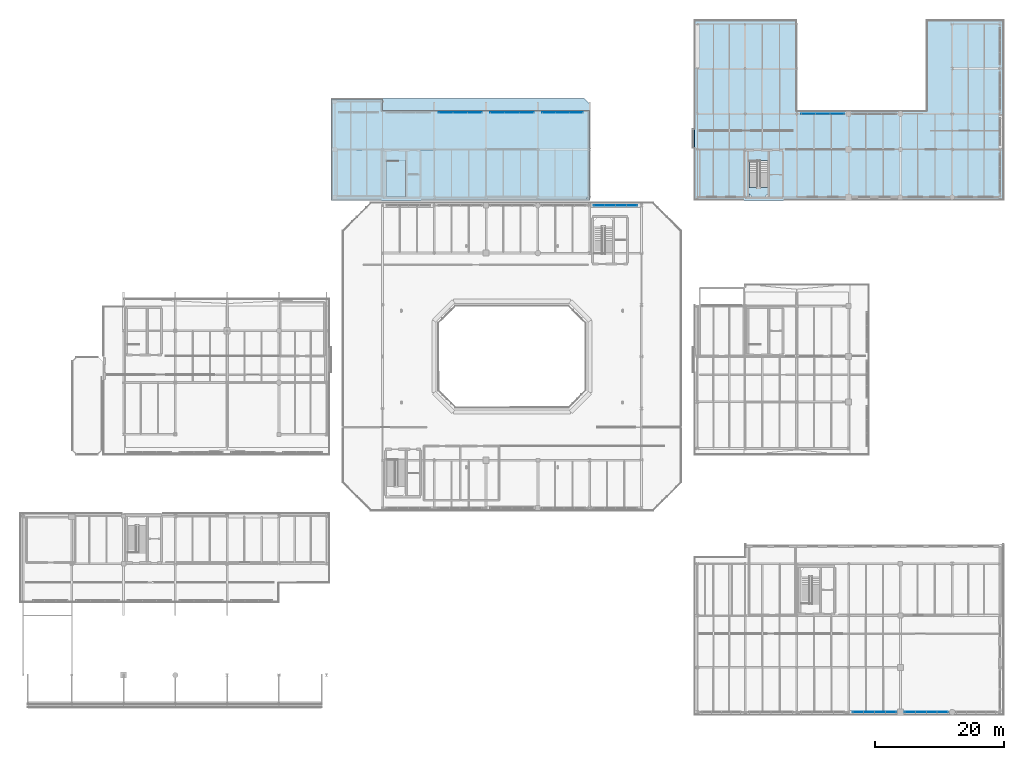
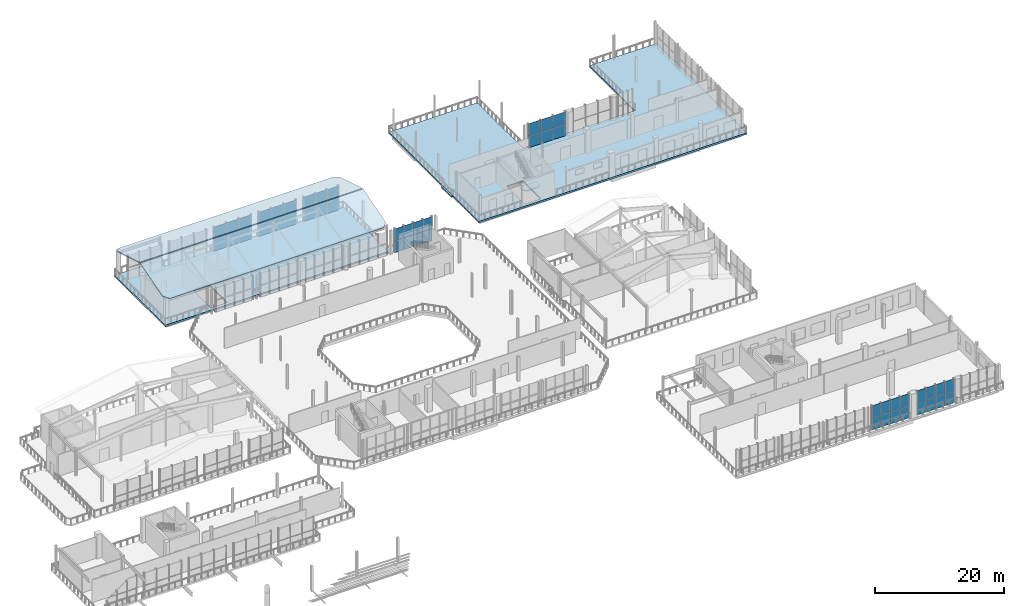
# One storey, part 45 of 70: 48 plates, 6 slabs, 8 elements without a shape of their own.
"""IFC4 building model written with IfcOpenShell, lengths in metres."""

from ifc_helpers import new_model, si_unit, direction, frame, origin, origin_2d, place, context, subcontext, project, spatial, polyline, rectangle, outline, extrude, material, layer, layer_set, type_object, element, aggregate, save


model = new_model("IFC4")

# Units and contexts
model_context = context("Model", 3, precision=1e-05, world=origin(), true_north=direction((0.0, 1.0)))
body_context = subcontext(model_context, "Body", "Model", "MODEL_VIEW")
ifc_project = project(units=[si_unit("LENGTHUNIT", "METRE"), si_unit("AREAUNIT", "SQUARE_METRE"), si_unit("VOLUMEUNIT", "CUBIC_METRE"), si_unit("PLANEANGLEUNIT", "RADIAN"), si_unit("MASSUNIT", "GRAM", prefix="KILO")], contexts=[model_context])

# Site, building, storey
site_placement = place(None, origin())
site = spatial("IfcSite", under=ifc_project, at=site_placement, CompositionType="ELEMENT")
building_placement = place(site_placement, origin())
building = spatial("IfcBuilding", under=site, at=building_placement, Name="Brisemont Oceanarium", CompositionType="ELEMENT")
storey_placement = place(building_placement, frame((0.0, 0.0, 10.199951171875)))
storey = spatial("IfcBuildingStorey", under=building, at=storey_placement, Name="L02", CompositionType="ELEMENT", Elevation=10.199951171875)

# Curtain wall, plates
ifc_material_1 = material(Name="Anodized Extruded Aluminum 6063-T6", Category="aluminium")
curtain_wall_type_1 = type_object("IfcCurtainWallType", Name="CW-CLR-48X34", PredefinedType="NOTDEFINED", material=ifc_material_1)
curtain_wall_1_placement = place(storey_placement, origin())
curtain_wall_1 = element("IfcCurtainWall", 1, at=curtain_wall_1_placement, inside=storey, type_object=curtain_wall_type_1, Name="CW-22 curtain wall CW-V7E-N-L02-03", PredefinedType="NOTDEFINED")
ifc_material_2 = material(Name="Ceramic-Fritted Spandrel Glass", Category="glass")
ifc_layer_1 = layer(ifc_material_2, 0.030029296875)
ifc_layer_set_1 = layer_set([ifc_layer_1], Name="Ceramic-Fritted Spandrel Glass")
plate_type_1 = type_object("IfcPlateType", Name="PLT-CWP-S4", PredefinedType="CURTAIN_PANEL", material=ifc_layer_set_1)
plate_1_placement = place(storey_placement, frame((73.7666015625, 93.699951171875, 0.00146484375), z_axis=(0.0, 0.0, 1.0), x_axis=(1.0, 0.0, 0.0)))
plate_1 = element("IfcPlate", 2, at=plate_1_placement, type_object=plate_type_1, Name="CW-V7E-N-L02-03 panel 1.1", PredefinedType="CURTAIN_PANEL", context=body_context, shape_type="SweptSolid", body=[
    extrude(rectangle(XDim=2.230224609375, YDim=0.030029296875, at=origin_2d()), origin(), (0.0, 0.0, 1.0), 2.297119140625),
])
plate_2_placement = place(storey_placement, frame((73.7666015625, 93.699951171875, 2.30126953125), z_axis=(0.0, 0.0, 1.0), x_axis=(1.0, 0.0, 0.0)))
plate_2 = element("IfcPlate", 3, at=plate_2_placement, type_object=plate_type_1, Name="CW-V7E-N-L02-03 panel 1.2", PredefinedType="CURTAIN_PANEL", context=body_context, shape_type="SweptSolid", body=[
    extrude(rectangle(XDim=2.230224609375, YDim=0.030029296875, at=origin_2d()), origin(), (0.0, 0.0, 1.0), 2.297119140625),
])
plate_3_placement = place(storey_placement, frame((76.0, 93.699951171875, 0.00146484375), z_axis=(0.0, 0.0, 1.0), x_axis=(1.0, 0.0, 0.0)))
plate_3 = element("IfcPlate", 4, at=plate_3_placement, type_object=plate_type_1, Name="CW-V7E-N-L02-03 panel 2.1", PredefinedType="CURTAIN_PANEL", context=body_context, shape_type="SweptSolid", body=[
    extrude(rectangle(XDim=2.230224609375, YDim=0.030029296875, at=origin_2d()), origin(), (0.0, 0.0, 1.0), 2.297119140625),
])
plate_4_placement = place(storey_placement, frame((76.0, 93.699951171875, 2.30126953125), z_axis=(0.0, 0.0, 1.0), x_axis=(1.0, 0.0, 0.0)))
plate_4 = element("IfcPlate", 5, at=plate_4_placement, type_object=plate_type_1, Name="CW-V7E-N-L02-03 panel 2.2", PredefinedType="CURTAIN_PANEL", context=body_context, shape_type="SweptSolid", body=[
    extrude(rectangle(XDim=2.230224609375, YDim=0.030029296875, at=origin_2d()), origin(), (0.0, 0.0, 1.0), 2.297119140625),
])
plate_5_placement = place(storey_placement, frame((78.2333984375, 93.699951171875, 0.00146484375), z_axis=(0.0, 0.0, 1.0), x_axis=(1.0, 0.0, 0.0)))
plate_5 = element("IfcPlate", 6, at=plate_5_placement, type_object=plate_type_1, Name="CW-V7E-N-L02-03 panel 3.1", PredefinedType="CURTAIN_PANEL", context=body_context, shape_type="SweptSolid", body=[
    extrude(rectangle(XDim=2.230224609375, YDim=0.030029296875, at=origin_2d()), origin(), (0.0, 0.0, 1.0), 2.297119140625),
])
plate_6_placement = place(storey_placement, frame((78.2333984375, 93.699951171875, 2.30126953125), z_axis=(0.0, 0.0, 1.0), x_axis=(1.0, 0.0, 0.0)))
plate_6 = element("IfcPlate", 7, at=plate_6_placement, type_object=plate_type_1, Name="CW-V7E-N-L02-03 panel 3.2", PredefinedType="CURTAIN_PANEL", context=body_context, shape_type="SweptSolid", body=[
    extrude(rectangle(XDim=2.230224609375, YDim=0.030029296875, at=origin_2d()), origin(), (0.0, 0.0, 1.0), 2.297119140625),
])
aggregate(curtain_wall_1, [plate_1, plate_2, plate_3, plate_4, plate_5, plate_6])

curtain_wall_2_placement = place(storey_placement, origin())
curtain_wall_2 = element("IfcCurtainWall", 8, at=curtain_wall_2_placement, inside=storey, type_object=curtain_wall_type_1, Name="CW-22 curtain wall CW-V7E-N-L02-04", PredefinedType="NOTDEFINED")
plate_7_placement = place(storey_placement, frame((81.7666015625, 93.699951171875, 0.00146484375), z_axis=(0.0, 0.0, 1.0), x_axis=(1.0, 0.0, 0.0)))
plate_7 = element("IfcPlate", 9, at=plate_7_placement, type_object=plate_type_1, Name="CW-V7E-N-L02-04 panel 1.1", PredefinedType="CURTAIN_PANEL", context=body_context, shape_type="SweptSolid", body=[
    extrude(rectangle(XDim=2.230224609375, YDim=0.030029296875, at=origin_2d()), origin(), (0.0, 0.0, 1.0), 2.297119140625),
])
plate_8_placement = place(storey_placement, frame((81.7666015625, 93.699951171875, 2.30126953125), z_axis=(0.0, 0.0, 1.0), x_axis=(1.0, 0.0, 0.0)))
plate_8 = element("IfcPlate", 10, at=plate_8_placement, type_object=plate_type_1, Name="CW-V7E-N-L02-04 panel 1.2", PredefinedType="CURTAIN_PANEL", context=body_context, shape_type="SweptSolid", body=[
    extrude(rectangle(XDim=2.230224609375, YDim=0.030029296875, at=origin_2d()), origin(), (0.0, 0.0, 1.0), 2.297119140625),
])
plate_9_placement = place(storey_placement, frame((84.0, 93.699951171875, 0.00146484375), z_axis=(0.0, 0.0, 1.0), x_axis=(1.0, 0.0, 0.0)))
plate_9 = element("IfcPlate", 11, at=plate_9_placement, type_object=plate_type_1, Name="CW-V7E-N-L02-04 panel 2.1", PredefinedType="CURTAIN_PANEL", context=body_context, shape_type="SweptSolid", body=[
    extrude(rectangle(XDim=2.230224609375, YDim=0.030029296875, at=origin_2d()), origin(), (0.0, 0.0, 1.0), 2.297119140625),
])
plate_10_placement = place(storey_placement, frame((84.0, 93.699951171875, 2.30126953125), z_axis=(0.0, 0.0, 1.0), x_axis=(1.0, 0.0, 0.0)))
plate_10 = element("IfcPlate", 12, at=plate_10_placement, type_object=plate_type_1, Name="CW-V7E-N-L02-04 panel 2.2", PredefinedType="CURTAIN_PANEL", context=body_context, shape_type="SweptSolid", body=[
    extrude(rectangle(XDim=2.230224609375, YDim=0.030029296875, at=origin_2d()), origin(), (0.0, 0.0, 1.0), 2.297119140625),
])
plate_11_placement = place(storey_placement, frame((86.2333984375, 93.699951171875, 0.00146484375), z_axis=(0.0, 0.0, 1.0), x_axis=(1.0, 0.0, 0.0)))
plate_11 = element("IfcPlate", 13, at=plate_11_placement, type_object=plate_type_1, Name="CW-V7E-N-L02-04 panel 3.1", PredefinedType="CURTAIN_PANEL", context=body_context, shape_type="SweptSolid", body=[
    extrude(rectangle(XDim=2.230224609375, YDim=0.030029296875, at=origin_2d()), origin(), (0.0, 0.0, 1.0), 2.297119140625),
])
plate_12_placement = place(storey_placement, frame((86.2333984375, 93.699951171875, 2.30126953125), z_axis=(0.0, 0.0, 1.0), x_axis=(1.0, 0.0, 0.0)))
plate_12 = element("IfcPlate", 14, at=plate_12_placement, type_object=plate_type_1, Name="CW-V7E-N-L02-04 panel 3.2", PredefinedType="CURTAIN_PANEL", context=body_context, shape_type="SweptSolid", body=[
    extrude(rectangle(XDim=2.230224609375, YDim=0.030029296875, at=origin_2d()), origin(), (0.0, 0.0, 1.0), 2.297119140625),
])
aggregate(curtain_wall_2, [plate_7, plate_8, plate_9, plate_10, plate_11, plate_12])

curtain_wall_3_placement = place(storey_placement, origin())
curtain_wall_3 = element("IfcCurtainWall", 15, at=curtain_wall_3_placement, inside=storey, type_object=curtain_wall_type_1, Name="CW-22 curtain wall CW-V7E-N-L02-05", PredefinedType="NOTDEFINED")
plate_13_placement = place(storey_placement, frame((89.699951171875, 93.699951171875, 0.00146484375), z_axis=(0.0, 0.0, 1.0), x_axis=(1.0, 0.0, 0.0)))
plate_13 = element("IfcPlate", 16, at=plate_13_placement, type_object=plate_type_1, Name="CW-V7E-N-L02-05 panel 1.1", PredefinedType="CURTAIN_PANEL", context=body_context, shape_type="SweptSolid", body=[
    extrude(rectangle(XDim=2.096923828125, YDim=0.030029296875, at=origin_2d()), origin(), (0.0, 0.0, 1.0), 2.297119140625),
])
plate_14_placement = place(storey_placement, frame((89.699951171875, 93.699951171875, 2.30126953125), z_axis=(0.0, 0.0, 1.0), x_axis=(1.0, 0.0, 0.0)))
plate_14 = element("IfcPlate", 17, at=plate_14_placement, type_object=plate_type_1, Name="CW-V7E-N-L02-05 panel 1.2", PredefinedType="CURTAIN_PANEL", context=body_context, shape_type="SweptSolid", body=[
    extrude(rectangle(XDim=2.096923828125, YDim=0.030029296875, at=origin_2d()), origin(), (0.0, 0.0, 1.0), 2.297119140625),
])
plate_15_placement = place(storey_placement, frame((91.800048828125, 93.699951171875, 0.00146484375), z_axis=(0.0, 0.0, 1.0), x_axis=(1.0, 0.0, 0.0)))
plate_15 = element("IfcPlate", 18, at=plate_15_placement, type_object=plate_type_1, Name="CW-V7E-N-L02-05 panel 2.1", PredefinedType="CURTAIN_PANEL", context=body_context, shape_type="SweptSolid", body=[
    extrude(rectangle(XDim=2.096923828125, YDim=0.030029296875, at=origin_2d()), origin(), (0.0, 0.0, 1.0), 2.297119140625),
])
plate_16_placement = place(storey_placement, frame((91.800048828125, 93.699951171875, 2.30126953125), z_axis=(0.0, 0.0, 1.0), x_axis=(1.0, 0.0, 0.0)))
plate_16 = element("IfcPlate", 19, at=plate_16_placement, type_object=plate_type_1, Name="CW-V7E-N-L02-05 panel 2.2", PredefinedType="CURTAIN_PANEL", context=body_context, shape_type="SweptSolid", body=[
    extrude(rectangle(XDim=2.096923828125, YDim=0.030029296875, at=origin_2d()), origin(), (0.0, 0.0, 1.0), 2.297119140625),
])
plate_17_placement = place(storey_placement, frame((93.89990234375, 93.699951171875, 0.00146484375), z_axis=(0.0, 0.0, 1.0), x_axis=(1.0, 0.0, 0.0)))
plate_17 = element("IfcPlate", 20, at=plate_17_placement, type_object=plate_type_1, Name="CW-V7E-N-L02-05 panel 3.1", PredefinedType="CURTAIN_PANEL", context=body_context, shape_type="SweptSolid", body=[
    extrude(rectangle(XDim=2.096923828125, YDim=0.030029296875, at=origin_2d()), origin(), (0.0, 0.0, 1.0), 2.297119140625),
])
plate_18_placement = place(storey_placement, frame((93.89990234375, 93.699951171875, 2.30126953125), z_axis=(0.0, 0.0, 1.0), x_axis=(1.0, 0.0, 0.0)))
plate_18 = element("IfcPlate", 21, at=plate_18_placement, type_object=plate_type_1, Name="CW-V7E-N-L02-05 panel 3.2", PredefinedType="CURTAIN_PANEL", context=body_context, shape_type="SweptSolid", body=[
    extrude(rectangle(XDim=2.096923828125, YDim=0.030029296875, at=origin_2d()), origin(), (0.0, 0.0, 1.0), 2.297119140625),
])
aggregate(curtain_wall_3, [plate_13, plate_14, plate_15, plate_16, plate_17, plate_18])

ifc_material_3 = material(Name="Anodized Extruded Aluminum 6063-T6", Category="aluminium")
curtain_wall_type_2 = type_object("IfcCurtainWallType", Name="CW-RES-52X41", PredefinedType="NOTDEFINED", material=ifc_material_3)
curtain_wall_4_placement = place(storey_placement, origin())
curtain_wall_4 = element("IfcCurtainWall", 22, at=curtain_wall_4_placement, inside=storey, type_object=curtain_wall_type_2, Name="CW-18 curtain wall CW-V6-CL-L02-01", PredefinedType="NOTDEFINED")
ifc_material_4 = material(Name="Insulated Low-E Laminated Glass", Category="glass")
ifc_layer_2 = layer(ifc_material_4, 0.02587890625)
ifc_layer_set_2 = layer_set([ifc_layer_2], Name="Insulated Low-E Laminated Glass")
plate_type_2 = type_object("IfcPlateType", Name="PLT-CWP-V10", PredefinedType="CURTAIN_PANEL", material=ifc_layer_set_2)
plate_19_placement = place(storey_placement, frame((129.7666015625, 93.5, 0.00146484375), z_axis=(0.0, 0.0, 1.0), x_axis=(1.0, 0.0, 0.0)))
plate_19 = element("IfcPlate", 23, at=plate_19_placement, type_object=plate_type_2, Name="CW-V6-CL-L02-01 panel 1.1", PredefinedType="CURTAIN_PANEL", context=body_context, shape_type="SweptSolid", body=[
    extrude(rectangle(XDim=2.230224609375, YDim=0.02587890625, at=origin_2d()), origin(), (0.0, 0.0, 1.0), 2.26708984375),
])
plate_20_placement = place(storey_placement, frame((129.7666015625, 93.5, 2.271484375), z_axis=(0.0, 0.0, 1.0), x_axis=(1.0, 0.0, 0.0)))
plate_20 = element("IfcPlate", 24, at=plate_20_placement, type_object=plate_type_2, Name="CW-V6-CL-L02-01 panel 1.2", PredefinedType="CURTAIN_PANEL", context=body_context, shape_type="SweptSolid", body=[
    extrude(rectangle(XDim=2.230224609375, YDim=0.02587890625, at=origin_2d()), origin(), (0.0, 0.0, 1.0), 2.26708984375),
])
plate_21_placement = place(storey_placement, frame((132.0, 93.5, 0.00146484375), z_axis=(0.0, 0.0, 1.0), x_axis=(1.0, 0.0, 0.0)))
plate_21 = element("IfcPlate", 25, at=plate_21_placement, type_object=plate_type_2, Name="CW-V6-CL-L02-01 panel 2.1", PredefinedType="CURTAIN_PANEL", context=body_context, shape_type="SweptSolid", body=[
    extrude(rectangle(XDim=2.230224609375, YDim=0.02587890625, at=origin_2d()), origin(), (0.0, 0.0, 1.0), 2.26708984375),
])
plate_22_placement = place(storey_placement, frame((132.0, 93.5, 2.271484375), z_axis=(0.0, 0.0, 1.0), x_axis=(1.0, 0.0, 0.0)))
plate_22 = element("IfcPlate", 26, at=plate_22_placement, type_object=plate_type_2, Name="CW-V6-CL-L02-01 panel 2.2", PredefinedType="CURTAIN_PANEL", context=body_context, shape_type="SweptSolid", body=[
    extrude(rectangle(XDim=2.230224609375, YDim=0.02587890625, at=origin_2d()), origin(), (0.0, 0.0, 1.0), 2.26708984375),
])
plate_23_placement = place(storey_placement, frame((134.2333984375, 93.5, 0.00146484375), z_axis=(0.0, 0.0, 1.0), x_axis=(1.0, 0.0, 0.0)))
plate_23 = element("IfcPlate", 27, at=plate_23_placement, type_object=plate_type_2, Name="CW-V6-CL-L02-01 panel 3.1", PredefinedType="CURTAIN_PANEL", context=body_context, shape_type="SweptSolid", body=[
    extrude(rectangle(XDim=2.230224609375, YDim=0.02587890625, at=origin_2d()), origin(), (0.0, 0.0, 1.0), 2.26708984375),
])
plate_24_placement = place(storey_placement, frame((134.2333984375, 93.5, 2.271484375), z_axis=(0.0, 0.0, 1.0), x_axis=(1.0, 0.0, 0.0)))
plate_24 = element("IfcPlate", 28, at=plate_24_placement, type_object=plate_type_2, Name="CW-V6-CL-L02-01 panel 3.2", PredefinedType="CURTAIN_PANEL", context=body_context, shape_type="SweptSolid", body=[
    extrude(rectangle(XDim=2.230224609375, YDim=0.02587890625, at=origin_2d()), origin(), (0.0, 0.0, 1.0), 2.26708984375),
])
aggregate(curtain_wall_4, [plate_19, plate_20, plate_21, plate_22, plate_23, plate_24])

ifc_material_5 = material(Name="Anodized Extruded Aluminum 6063-T6", Category="aluminium")
curtain_wall_type_3 = type_object("IfcCurtainWallType", Name="CW-POR-69X44", PredefinedType="NOTDEFINED", material=ifc_material_5)
curtain_wall_5_placement = place(storey_placement, origin())
curtain_wall_5 = element("IfcCurtainWall", 29, at=curtain_wall_5_placement, inside=storey, type_object=curtain_wall_type_3, Name="CW-20 curtain wall CW-V1-N-L02-05", PredefinedType="NOTDEFINED")
ifc_material_6 = material(Name="Insulated Low-E Laminated Glass", Category="glass")
ifc_layer_3 = layer(ifc_material_6, 0.028076171875)
ifc_layer_set_3 = layer_set([ifc_layer_3], Name="Insulated Low-E Laminated Glass")
plate_type_3 = type_object("IfcPlateType", Name="PLT-CWP-V6", PredefinedType="CURTAIN_PANEL", material=ifc_layer_set_3)
plate_25_placement = place(storey_placement, frame((97.487548828125, 79.35009765625, 0.00146484375), z_axis=(0.0, 0.0, 1.0), x_axis=(1.0, 0.0, 0.0)))
plate_25 = element("IfcPlate", 30, at=plate_25_placement, type_object=plate_type_3, Name="CW-V1-N-L02-05 panel 1.1", PredefinedType="CURTAIN_PANEL", context=body_context, shape_type="SweptSolid", body=[
    extrude(rectangle(XDim=1.672119140625, YDim=0.028076171875, at=origin_2d()), origin(), (0.0, 0.0, 1.0), 2.257080078125),
])
plate_26_placement = place(storey_placement, frame((97.487548828125, 79.35009765625, 2.26171875), z_axis=(0.0, 0.0, 1.0), x_axis=(1.0, 0.0, 0.0)))
plate_26 = element("IfcPlate", 31, at=plate_26_placement, type_object=plate_type_3, Name="CW-V1-N-L02-05 panel 1.2", PredefinedType="CURTAIN_PANEL", context=body_context, shape_type="SweptSolid", body=[
    extrude(rectangle(XDim=1.672119140625, YDim=0.028076171875, at=origin_2d()), origin(), (0.0, 0.0, 1.0), 2.257080078125),
])
plate_27_placement = place(storey_placement, frame((99.16259765625, 79.35009765625, 0.00146484375), z_axis=(0.0, 0.0, 1.0), x_axis=(1.0, 0.0, 0.0)))
plate_27 = element("IfcPlate", 32, at=plate_27_placement, type_object=plate_type_3, Name="CW-V1-N-L02-05 panel 2.1", PredefinedType="CURTAIN_PANEL", context=body_context, shape_type="SweptSolid", body=[
    extrude(rectangle(XDim=1.672119140625, YDim=0.028076171875, at=origin_2d()), origin(), (0.0, 0.0, 1.0), 2.257080078125),
])
plate_28_placement = place(storey_placement, frame((99.16259765625, 79.35009765625, 2.26171875), z_axis=(0.0, 0.0, 1.0), x_axis=(1.0, 0.0, 0.0)))
plate_28 = element("IfcPlate", 33, at=plate_28_placement, type_object=plate_type_3, Name="CW-V1-N-L02-05 panel 2.2", PredefinedType="CURTAIN_PANEL", context=body_context, shape_type="SweptSolid", body=[
    extrude(rectangle(XDim=1.672119140625, YDim=0.028076171875, at=origin_2d()), origin(), (0.0, 0.0, 1.0), 2.257080078125),
])
plate_29_placement = place(storey_placement, frame((100.83740234375, 79.35009765625, 0.00146484375), z_axis=(0.0, 0.0, 1.0), x_axis=(1.0, 0.0, 0.0)))
plate_29 = element("IfcPlate", 34, at=plate_29_placement, type_object=plate_type_3, Name="CW-V1-N-L02-05 panel 3.1", PredefinedType="CURTAIN_PANEL", context=body_context, shape_type="SweptSolid", body=[
    extrude(rectangle(XDim=1.672119140625, YDim=0.028076171875, at=origin_2d()), origin(), (0.0, 0.0, 1.0), 2.257080078125),
])
plate_30_placement = place(storey_placement, frame((100.83740234375, 79.35009765625, 2.26171875), z_axis=(0.0, 0.0, 1.0), x_axis=(1.0, 0.0, 0.0)))
plate_30 = element("IfcPlate", 35, at=plate_30_placement, type_object=plate_type_3, Name="CW-V1-N-L02-05 panel 3.2", PredefinedType="CURTAIN_PANEL", context=body_context, shape_type="SweptSolid", body=[
    extrude(rectangle(XDim=1.672119140625, YDim=0.028076171875, at=origin_2d()), origin(), (0.0, 0.0, 1.0), 2.257080078125),
])
plate_31_placement = place(storey_placement, frame((102.512451171875, 79.35009765625, 0.00146484375), z_axis=(0.0, 0.0, 1.0), x_axis=(1.0, 0.0, 0.0)))
plate_31 = element("IfcPlate", 36, at=plate_31_placement, type_object=plate_type_3, Name="CW-V1-N-L02-05 panel 4.1", PredefinedType="CURTAIN_PANEL", context=body_context, shape_type="SweptSolid", body=[
    extrude(rectangle(XDim=1.672119140625, YDim=0.028076171875, at=origin_2d()), origin(), (0.0, 0.0, 1.0), 2.257080078125),
])
plate_32_placement = place(storey_placement, frame((102.512451171875, 79.35009765625, 2.26171875), z_axis=(0.0, 0.0, 1.0), x_axis=(1.0, 0.0, 0.0)))
plate_32 = element("IfcPlate", 37, at=plate_32_placement, type_object=plate_type_3, Name="CW-V1-N-L02-05 panel 4.2", PredefinedType="CURTAIN_PANEL", context=body_context, shape_type="SweptSolid", body=[
    extrude(rectangle(XDim=1.672119140625, YDim=0.028076171875, at=origin_2d()), origin(), (0.0, 0.0, 1.0), 2.257080078125),
])
aggregate(curtain_wall_5, [plate_25, plate_26, plate_27, plate_28, plate_29, plate_30, plate_31, plate_32])

ifc_material_7 = material(Name="Anodized Extruded Aluminum 6063-T6", Category="aluminium")
curtain_wall_type_4 = type_object("IfcCurtainWallType", Name="CW-EDU-69X43", PredefinedType="NOTDEFINED", material=ifc_material_7)
curtain_wall_6_placement = place(storey_placement, origin())
curtain_wall_6 = element("IfcCurtainWall", 38, at=curtain_wall_6_placement, inside=storey, type_object=curtain_wall_type_4, Name="CW-09 curtain wall CW-V3-S-L02-04", PredefinedType="NOTDEFINED")
ifc_material_8 = material(Name="Insulated Low-E Laminated Glass", Category="glass")
ifc_layer_4 = layer(ifc_material_8, 0.02587890625)
ifc_layer_set_4 = layer_set([ifc_layer_4], Name="Insulated Low-E Laminated Glass")
plate_type_4 = type_object("IfcPlateType", Name="PLT-CWP-V9", PredefinedType="CURTAIN_PANEL", material=ifc_layer_set_4)
plate_33_placement = place(storey_placement, frame((137.487548828125, 1.10009765625, 0.00146484375), z_axis=(0.0, 0.0, 1.0), x_axis=(1.0, 0.0, 0.0)))
plate_33 = element("IfcPlate", 39, at=plate_33_placement, type_object=plate_type_4, Name="CW-V3-S-L02-04 panel 1.1", PredefinedType="CURTAIN_PANEL", context=body_context, shape_type="SweptSolid", body=[
    extrude(rectangle(XDim=1.672119140625, YDim=0.02587890625, at=origin_2d()), origin(), (0.0, 0.0, 1.0), 2.277099609375),
])
plate_34_placement = place(storey_placement, frame((137.487548828125, 1.10009765625, 2.28173828125), z_axis=(0.0, 0.0, 1.0), x_axis=(1.0, 0.0, 0.0)))
plate_34 = element("IfcPlate", 40, at=plate_34_placement, type_object=plate_type_4, Name="CW-V3-S-L02-04 panel 1.2", PredefinedType="CURTAIN_PANEL", context=body_context, shape_type="SweptSolid", body=[
    extrude(rectangle(XDim=1.672119140625, YDim=0.02587890625, at=origin_2d()), origin(), (0.0, 0.0, 1.0), 2.277099609375),
])
plate_35_placement = place(storey_placement, frame((139.16259765625, 1.10009765625, 0.00146484375), z_axis=(0.0, 0.0, 1.0), x_axis=(1.0, 0.0, 0.0)))
plate_35 = element("IfcPlate", 41, at=plate_35_placement, type_object=plate_type_4, Name="CW-V3-S-L02-04 panel 2.1", PredefinedType="CURTAIN_PANEL", context=body_context, shape_type="SweptSolid", body=[
    extrude(rectangle(XDim=1.672119140625, YDim=0.02587890625, at=origin_2d()), origin(), (0.0, 0.0, 1.0), 2.277099609375),
])
plate_36_placement = place(storey_placement, frame((139.16259765625, 1.10009765625, 2.28173828125), z_axis=(0.0, 0.0, 1.0), x_axis=(1.0, 0.0, 0.0)))
plate_36 = element("IfcPlate", 42, at=plate_36_placement, type_object=plate_type_4, Name="CW-V3-S-L02-04 panel 2.2", PredefinedType="CURTAIN_PANEL", context=body_context, shape_type="SweptSolid", body=[
    extrude(rectangle(XDim=1.672119140625, YDim=0.02587890625, at=origin_2d()), origin(), (0.0, 0.0, 1.0), 2.277099609375),
])
plate_37_placement = place(storey_placement, frame((140.83740234375, 1.10009765625, 0.00146484375), z_axis=(0.0, 0.0, 1.0), x_axis=(1.0, 0.0, 0.0)))
plate_37 = element("IfcPlate", 43, at=plate_37_placement, type_object=plate_type_4, Name="CW-V3-S-L02-04 panel 3.1", PredefinedType="CURTAIN_PANEL", context=body_context, shape_type="SweptSolid", body=[
    extrude(rectangle(XDim=1.672119140625, YDim=0.02587890625, at=origin_2d()), origin(), (0.0, 0.0, 1.0), 2.277099609375),
])
plate_38_placement = place(storey_placement, frame((140.83740234375, 1.10009765625, 2.28173828125), z_axis=(0.0, 0.0, 1.0), x_axis=(1.0, 0.0, 0.0)))
plate_38 = element("IfcPlate", 44, at=plate_38_placement, type_object=plate_type_4, Name="CW-V3-S-L02-04 panel 3.2", PredefinedType="CURTAIN_PANEL", context=body_context, shape_type="SweptSolid", body=[
    extrude(rectangle(XDim=1.672119140625, YDim=0.02587890625, at=origin_2d()), origin(), (0.0, 0.0, 1.0), 2.277099609375),
])
plate_39_placement = place(storey_placement, frame((142.512451171875, 1.10009765625, 0.00146484375), z_axis=(0.0, 0.0, 1.0), x_axis=(1.0, 0.0, 0.0)))
plate_39 = element("IfcPlate", 45, at=plate_39_placement, type_object=plate_type_4, Name="CW-V3-S-L02-04 panel 4.1", PredefinedType="CURTAIN_PANEL", context=body_context, shape_type="SweptSolid", body=[
    extrude(rectangle(XDim=1.672119140625, YDim=0.02587890625, at=origin_2d()), origin(), (0.0, 0.0, 1.0), 2.277099609375),
])
plate_40_placement = place(storey_placement, frame((142.512451171875, 1.10009765625, 2.28173828125), z_axis=(0.0, 0.0, 1.0), x_axis=(1.0, 0.0, 0.0)))
plate_40 = element("IfcPlate", 46, at=plate_40_placement, type_object=plate_type_4, Name="CW-V3-S-L02-04 panel 4.2", PredefinedType="CURTAIN_PANEL", context=body_context, shape_type="SweptSolid", body=[
    extrude(rectangle(XDim=1.672119140625, YDim=0.02587890625, at=origin_2d()), origin(), (0.0, 0.0, 1.0), 2.277099609375),
])
aggregate(curtain_wall_6, [plate_33, plate_34, plate_35, plate_36, plate_37, plate_38, plate_39, plate_40])

curtain_wall_7_placement = place(storey_placement, origin())
curtain_wall_7 = element("IfcCurtainWall", 47, at=curtain_wall_7_placement, inside=storey, type_object=curtain_wall_type_4, Name="CW-09 curtain wall CW-V3-S-L02-05", PredefinedType="NOTDEFINED")
plate_41_placement = place(storey_placement, frame((145.487548828125, 1.10009765625, 0.00146484375), z_axis=(0.0, 0.0, 1.0), x_axis=(1.0, 0.0, 0.0)))
plate_41 = element("IfcPlate", 48, at=plate_41_placement, type_object=plate_type_4, Name="CW-V3-S-L02-05 panel 1.1", PredefinedType="CURTAIN_PANEL", context=body_context, shape_type="SweptSolid", body=[
    extrude(rectangle(XDim=1.672119140625, YDim=0.02587890625, at=origin_2d()), origin(), (0.0, 0.0, 1.0), 2.277099609375),
])
plate_42_placement = place(storey_placement, frame((145.487548828125, 1.10009765625, 2.28173828125), z_axis=(0.0, 0.0, 1.0), x_axis=(1.0, 0.0, 0.0)))
plate_42 = element("IfcPlate", 49, at=plate_42_placement, type_object=plate_type_4, Name="CW-V3-S-L02-05 panel 1.2", PredefinedType="CURTAIN_PANEL", context=body_context, shape_type="SweptSolid", body=[
    extrude(rectangle(XDim=1.672119140625, YDim=0.02587890625, at=origin_2d()), origin(), (0.0, 0.0, 1.0), 2.277099609375),
])
plate_43_placement = place(storey_placement, frame((147.16259765625, 1.10009765625, 0.00146484375), z_axis=(0.0, 0.0, 1.0), x_axis=(1.0, 0.0, 0.0)))
plate_43 = element("IfcPlate", 50, at=plate_43_placement, type_object=plate_type_4, Name="CW-V3-S-L02-05 panel 2.1", PredefinedType="CURTAIN_PANEL", context=body_context, shape_type="SweptSolid", body=[
    extrude(rectangle(XDim=1.672119140625, YDim=0.02587890625, at=origin_2d()), origin(), (0.0, 0.0, 1.0), 2.277099609375),
])
plate_44_placement = place(storey_placement, frame((147.16259765625, 1.10009765625, 2.28173828125), z_axis=(0.0, 0.0, 1.0), x_axis=(1.0, 0.0, 0.0)))
plate_44 = element("IfcPlate", 51, at=plate_44_placement, type_object=plate_type_4, Name="CW-V3-S-L02-05 panel 2.2", PredefinedType="CURTAIN_PANEL", context=body_context, shape_type="SweptSolid", body=[
    extrude(rectangle(XDim=1.672119140625, YDim=0.02587890625, at=origin_2d()), origin(), (0.0, 0.0, 1.0), 2.277099609375),
])
plate_45_placement = place(storey_placement, frame((148.83740234375, 1.10009765625, 0.00146484375), z_axis=(0.0, 0.0, 1.0), x_axis=(1.0, 0.0, 0.0)))
plate_45 = element("IfcPlate", 52, at=plate_45_placement, type_object=plate_type_4, Name="CW-V3-S-L02-05 panel 3.1", PredefinedType="CURTAIN_PANEL", context=body_context, shape_type="SweptSolid", body=[
    extrude(rectangle(XDim=1.672119140625, YDim=0.02587890625, at=origin_2d()), origin(), (0.0, 0.0, 1.0), 2.277099609375),
])
plate_46_placement = place(storey_placement, frame((148.83740234375, 1.10009765625, 2.28173828125), z_axis=(0.0, 0.0, 1.0), x_axis=(1.0, 0.0, 0.0)))
plate_46 = element("IfcPlate", 53, at=plate_46_placement, type_object=plate_type_4, Name="CW-V3-S-L02-05 panel 3.2", PredefinedType="CURTAIN_PANEL", context=body_context, shape_type="SweptSolid", body=[
    extrude(rectangle(XDim=1.672119140625, YDim=0.02587890625, at=origin_2d()), origin(), (0.0, 0.0, 1.0), 2.277099609375),
])
plate_47_placement = place(storey_placement, frame((150.512451171875, 1.10009765625, 0.00146484375), z_axis=(0.0, 0.0, 1.0), x_axis=(1.0, 0.0, 0.0)))
plate_47 = element("IfcPlate", 54, at=plate_47_placement, type_object=plate_type_4, Name="CW-V3-S-L02-05 panel 4.1", PredefinedType="CURTAIN_PANEL", context=body_context, shape_type="SweptSolid", body=[
    extrude(rectangle(XDim=1.672119140625, YDim=0.02587890625, at=origin_2d()), origin(), (0.0, 0.0, 1.0), 2.277099609375),
])
plate_48_placement = place(storey_placement, frame((150.512451171875, 1.10009765625, 2.28173828125), z_axis=(0.0, 0.0, 1.0), x_axis=(1.0, 0.0, 0.0)))
plate_48 = element("IfcPlate", 55, at=plate_48_placement, type_object=plate_type_4, Name="CW-V3-S-L02-05 panel 4.2", PredefinedType="CURTAIN_PANEL", context=body_context, shape_type="SweptSolid", body=[
    extrude(rectangle(XDim=1.672119140625, YDim=0.02587890625, at=origin_2d()), origin(), (0.0, 0.0, 1.0), 2.277099609375),
])
aggregate(curtain_wall_7, [plate_41, plate_42, plate_43, plate_44, plate_45, plate_46, plate_47, plate_48])

# Slabs
ifc_material_9 = material(Name="Concrete C35/45", Category="concrete")
ifc_layer_5 = layer(ifc_material_9, 0.239990234375)
ifc_layer_set_5 = layer_set([ifc_layer_5], Name="Concrete C35/45")
slab_type_1 = type_object("IfcSlabType", Name="SLB-FLR-240", PredefinedType="FLOOR", material=ifc_layer_set_5)
slab_1_placement = place(storey_placement, frame((0.0, 0.0, -0.239990234375)))
element("IfcSlab", 56, at=slab_1_placement, inside=storey, type_object=slab_type_1, Name="SB_SB-06 L02 floor slab", PredefinedType="FLOOR", context=body_context, shape_type="SweptSolid", body=[
    extrude(outline(polyline([(111.889892578125, 88.199951171875), (112.110107421875, 88.199951171875), (112.14990234375, 88.239990234375), (112.14990234375, 91.159912109375), (112.110107421875, 91.199951171875), (111.889892578125, 91.199951171875), (111.85009765625, 91.159912109375), (111.85009765625, 88.239990234375), (111.889892578125, 88.199951171875)])), origin(), (0.0, 0.0, 1.0), 0.239990234375),
])
ifc_material_10 = material(Name="Concrete C35/45", Category="concrete")
ifc_layer_6 = layer(ifc_material_10, 0.300048828125)
ifc_layer_set_6 = layer_set([ifc_layer_6], Name="Concrete C35/45")
slab_type_2 = type_object("IfcSlabType", Name="SLB-FLR-300", PredefinedType="FLOOR", material=ifc_layer_set_6)
slab_2_placement = place(storey_placement, frame((0.0, 0.0, -0.300048828125)))
element("IfcSlab", 57, at=slab_2_placement, inside=storey, type_object=slab_type_2, Name="V7E L02 floor slab", PredefinedType="FLOOR", context=body_context, shape_type="SweptSolid", body=[
    extrude(outline(polyline([(56.14990234375, 80.14990234375), (96.0, 80.14990234375), (96.0, 94.0), (64.0, 94.0), (64.0, 95.800048828125), (56.14990234375, 95.800048828125), (56.14990234375, 80.14990234375)]), holes=[polyline([(64.669921875, 80.719970703125), (67.570068359375, 80.719970703125), (67.570068359375, 86.260009765625), (64.669921875, 86.260009765625), (64.669921875, 80.719970703125)])]), origin(), (0.0, 0.0, 1.0), 0.300048828125),
])
slab_3_placement = place(storey_placement, frame((0.0, 0.0, -0.300048828125)))
element("IfcSlab", 58, at=slab_3_placement, inside=storey, type_object=slab_type_2, Name="V6 L02 floor slab", PredefinedType="FLOOR", context=body_context, shape_type="SweptSolid", body=[
    extrude(outline(polyline([(112.14990234375, 80.14990234375), (160.0, 80.14990234375), (160.0, 108.0), (148.0, 108.0), (148.0, 94.0), (128.0, 94.0), (128.0, 108.0), (112.14990234375, 108.0), (112.14990234375, 80.14990234375)]), holes=[polyline([(120.669921875, 80.719970703125), (123.570068359375, 80.719970703125), (123.570068359375, 86.260009765625), (120.669921875, 86.260009765625), (120.669921875, 80.719970703125)])]), origin(), (0.0, 0.0, 1.0), 0.300048828125),
])

# Stair, slab
ifc_material_11 = material(Name="Concrete C40/50", Category="concrete")
stair_type = type_object("IfcStairType", Name="STR-CORE-124-48", PredefinedType="HALF_TURN_STAIR", material=ifc_material_11)
stair_placement = place(storey_placement, origin())
stair = element("IfcStair", 59, at=stair_placement, inside=storey, type_object=stair_type, Name="Exit stair ST-07 L02 to L03", PredefinedType="HALF_TURN_STAIR")
ifc_material_12 = material(Name="Concrete C40/50", Category="concrete")
ifc_layer_7 = layer(ifc_material_12, 0.219970703125)
ifc_layer_set_7 = layer_set([ifc_layer_7], Name="Concrete C40/50")
slab_type_3 = type_object("IfcSlabType", Name="SLB-LANDING-220", PredefinedType="LANDING", material=ifc_layer_set_7)
slab_4_placement = place(storey_placement, frame((0.0, 0.0, 2.179931640625)))
slab_4 = element("IfcSlab", 60, at=slab_4_placement, type_object=slab_type_3, Name="ST-07 L02 half-landing", PredefinedType="LANDING", context=body_context, shape_type="SweptSolid", body=[
    extrude(outline(polyline([(121.1201171875, 80.679931640625), (123.10009765625, 80.679931640625), (123.64990234375, 81.22998046875), (123.64990234375, 82.110107421875), (120.570068359375, 82.110107421875), (120.570068359375, 81.22998046875), (121.1201171875, 80.679931640625)])), origin(), (0.0, 0.0, 1.0), 0.22021484375),
])
aggregate(stair, [slab_4])

# Slabs
ifc_material_13 = material(Name="Concrete C35/45", Category="concrete")
ifc_layer_8 = layer(ifc_material_13, 0.179931640625)
ifc_layer_set_8 = layer_set([ifc_layer_8], Name="Concrete C35/45")
slab_type_4 = type_object("IfcSlabType", Name="SLB-RF-180", PredefinedType="ROOF", material=ifc_layer_set_8)
slab_5_placement = place(storey_placement, frame((56.949951171875, 80.14990234375, 4.800048828125), z_axis=(0.0, -0.283841123405, 0.958871324352), x_axis=(1.0, 0.0, 0.0)))
element("IfcSlab", 61, at=slab_5_placement, inside=storey, type_object=slab_type_4, Name="V7E pitched roof S slope", PredefinedType="ROOF", context=body_context, shape_type="SweptSolid", body=[
    extrude(outline(polyline([(0.0, 0.0), (38.25, 0.0), (39.050048828125, 0.8343621141610644), (39.050048828125, 8.103297361430444), (-0.800048828125, 8.103297361430444), (-0.800048828125, 0.8343621141610644), (0.0, 0.0)])), origin(), (0.0, 0.0, -1.0), 0.179931640625),
])
slab_6_placement = place(storey_placement, frame((56.14990234375, 88.080078125, 7.10009765625), z_axis=(0.0, 0.283841123405, 0.958871324352), x_axis=(1.0, 0.0, 0.0)))
element("IfcSlab", 62, at=slab_6_placement, inside=storey, type_object=slab_type_4, Name="V7E pitched roof N slope", PredefinedType="ROOF", context=body_context, shape_type="SweptSolid", body=[
    extrude(outline(polyline([(0.0, 0.0), (39.85009765625, 0.0), (39.85009765625, 7.26893524726938), (39.050048828125, 8.103297361430444), (0.800048828125, 8.103297361430444), (0.0, 7.26893524726938), (0.0, 0.0)])), origin(), (0.0, 0.0, -1.0), 0.179931640625),
])

save(model, "model.ifc")
